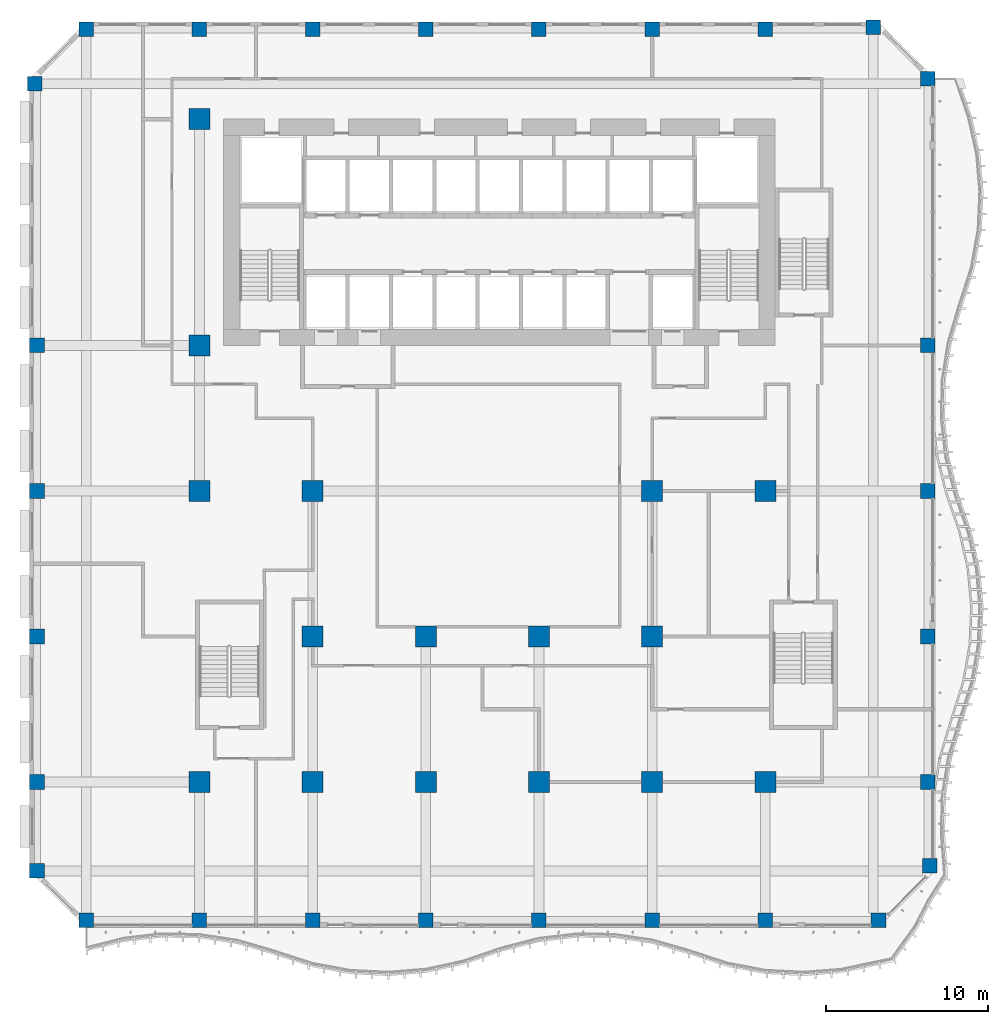
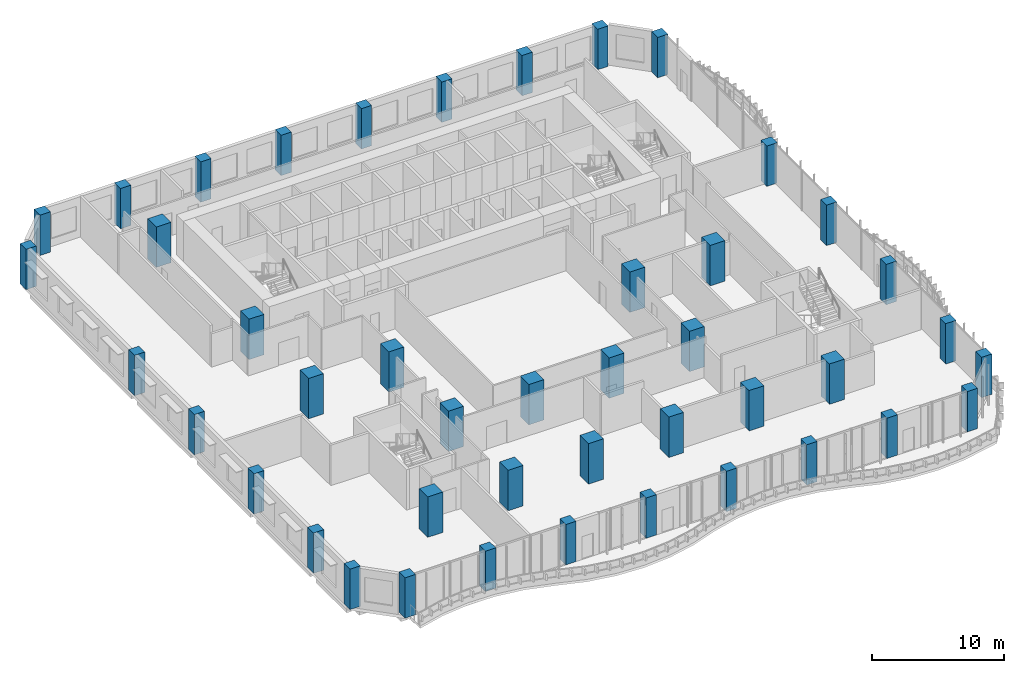
# One storey, part 1 of 24: 44 columns.
"""IFC4 building model written with IfcOpenShell, lengths in metres."""

from ifc_helpers import new_model, si_unit, direction, frame, origin, origin_2d, place, context, subcontext, project, spatial, rectangle, extrude, source, transform, mapped, material, material_profile, profile_set, type_object, element, save


model = new_model("IFC4")

# Units and contexts
model_context = context("Model", 3, precision=1e-05, world=origin(), true_north=direction((0.0, 1.0)))
body_context = subcontext(model_context, "Body", "Model", "MODEL_VIEW")
ifc_project = project(units=[si_unit("LENGTHUNIT", "METRE"), si_unit("AREAUNIT", "SQUARE_METRE"), si_unit("VOLUMEUNIT", "CUBIC_METRE"), si_unit("PLANEANGLEUNIT", "RADIAN"), si_unit("MASSUNIT", "GRAM", prefix="KILO")], contexts=[model_context])

# Site, building, storey
site_placement = place(None, origin())
site = spatial("IfcSite", under=ifc_project, at=site_placement, CompositionType="ELEMENT")
building_placement = place(site_placement, origin())
building = spatial("IfcBuilding", under=site, at=building_placement, Name="Kilnfold Tower and Market Hall", CompositionType="ELEMENT")
storey_placement = place(building_placement, frame((0.0, 0.0, 35.0)))
storey = spatial("IfcBuildingStorey", under=building, at=storey_placement, Name="L07", CompositionType="ELEMENT", Elevation=35.0)

# Columns
ifc_material_1 = material(Name="Concrete C80", Category="concrete")
ifc_material_profile_1 = material_profile(ifc_material_1, rectangle(XDim=0.89990234375, YDim=0.89990234375, at=origin_2d()), Name="RC 900x900")
ifc_profile_set_1 = profile_set([ifc_material_profile_1], Name="Concrete C80")
column_type_1 = type_object("IfcColumnType", Name="COLUMN 900X900 C80", PredefinedType="COLUMN", material=ifc_profile_set_1)
shared_shape_1 = source(origin(), body_context, "Body", "SweptSolid", [
    extrude(rectangle(XDim=0.89990234375, YDim=0.89990234375, at=origin_2d()), origin(), (0.0, 0.0, 1.0), 3.719970703125),
])
for number, where, z_axis, x_axis, name in (
    (1, (-27.681884765625, 24.181884765625, 0.0), (0.0, 0.0, 1.0), (1.0, 0.0, 0.0), "Column C-B1-1H"),
    (2, (-27.550048828125, -24.5, 0.0), (0.0, 0.0, 1.0), (1.0, 0.0, 0.0), "Column C-B1-1B"),
    (3, (-27.550048828125, -19.0, 0.0), (0.0, 0.0, 1.0), (1.0, 0.0, 0.0), "Column C-B1-1C"),
    (4, (-27.550048828125, -10.0, 0.0), (0.0, 0.0, 1.0), (1.0, 0.0, 0.0), "Column C-B1-1D"),
    (5, (-27.550048828125, -1.0, 0.0), (0.0, 0.0, 1.0), (1.0, 0.0, 0.0), "Column C-B1-1E"),
    (6, (-27.550048828125, 8.0, 0.0), (0.0, 0.0, 1.0), (1.0, 0.0, 0.0), "Column C-B1-1F"),
    (7, (-24.5, -27.550048828125, 0.0), (0.0, 0.0, 1.0), (1.0, 0.0, 0.0), "Column C-B1-2A"),
    (8, (-24.5, 27.550048828125, 0.0), (0.0, 0.0, 1.0), (1.0, 0.0, 0.0), "Column C-B1-2I"),
    (9, (-17.5, -27.550048828125, 0.0), (0.0, 0.0, 1.0), (1.0, 0.0, 0.0), "Column C-B1-3A"),
    (10, (-17.5, 27.550048828125, 0.0), (0.0, 0.0, 1.0), (1.0, 0.0, 0.0), "Column C-B1-3I"),
    (11, (-10.5, -27.550048828125, 0.0), (0.0, 0.0, 1.0), (1.0, 0.0, 0.0), "Column C-B1-4A"),
    (12, (-10.5, 27.550048828125, 0.0), (0.0, 0.0, 1.0), (1.0, 0.0, 0.0), "Column C-B1-4I"),
    (13, (-3.5, -27.550048828125, 0.0), (0.0, 0.0, 1.0), (1.0, 0.0, 0.0), "Column C-B1-5A"),
    (14, (-3.5, 27.550048828125, 0.0), (0.0, 0.0, 1.0), (1.0, 0.0, 0.0), "Column C-B1-5I"),
    (15, (3.5, -27.550048828125, 0.0), (0.0, 0.0, 1.0), (1.0, 0.0, 0.0), "Column C-B1-6A"),
    (16, (3.5, 27.550048828125, 0.0), (0.0, 0.0, 1.0), (1.0, 0.0, 0.0), "Column C-B1-6I"),
    (17, (10.5, -27.550048828125, 0.0), (0.0, 0.0, 1.0), (1.0, 0.0, 0.0), "Column C-B1-7A"),
    (18, (10.5, 27.550048828125, 0.0), (0.0, 0.0, 1.0), (1.0, 0.0, 0.0), "Column C-B1-7I"),
    (19, (17.5, -27.550048828125, 0.0), (0.0, 0.0, 1.0), (1.0, 0.0, 0.0), "Column C-B1-8A"),
    (20, (17.5, 27.550048828125, 0.0), (0.0, 0.0, 1.0), (1.0, 0.0, 0.0), "Column C-B1-8I"),
    (21, (24.181884765625, 27.681884765625, 0.0), (0.0, 0.0, 1.0), (1.0, 0.0, 0.0), "Column C-B1-9I"),
    (22, (24.5, -27.550048828125, 0.0), (0.0, 0.0, 1.0), (1.0, 0.0, 0.0), "Column C-B1-9A"),
    (23, (27.550048828125, -19.0, 0.0), (0.0, 0.0, 1.0), (1.0, 0.0, 0.0), "Column C-B1-10C"),
    (24, (27.550048828125, -10.0, 0.0), (0.0, 0.0, 1.0), (1.0, 0.0, 0.0), "Column C-B1-10D"),
    (25, (27.550048828125, -1.0, 0.0), (0.0, 0.0, 1.0), (1.0, 0.0, 0.0), "Column C-B1-10E"),
    (26, (27.550048828125, 8.0, 0.0), (0.0, 0.0, 1.0), (1.0, 0.0, 0.0), "Column C-B1-10F"),
    (27, (27.550048828125, 24.5, 0.0), (0.0, 0.0, 1.0), (1.0, 0.0, 0.0), "Column C-B1-10H"),
    (28, (27.681884765625, -24.181884765625, 0.0), (0.0, 0.0, 1.0), (1.0, 0.0, 0.0), "Column C-B1-10B"),
):
    element("IfcColumn", number, at=place(storey_placement, frame(where, z_axis=z_axis, x_axis=x_axis)), inside=storey, type_object=column_type_1, Name=name, PredefinedType="COLUMN", context=body_context, shape_type="MappedRepresentation", body=[
        mapped(shared_shape_1, transform((0.0, 0.0, 0.0))),
    ])
ifc_material_2 = material(Name="Concrete C80", Category="concrete")
ifc_material_profile_2 = material_profile(ifc_material_2, rectangle(XDim=1.300048828125, YDim=1.300048828125, at=origin_2d()), Name="RC 1300x1300")
ifc_profile_set_2 = profile_set([ifc_material_profile_2], Name="Concrete C80")
column_type_2 = type_object("IfcColumnType", Name="COLUMN 1300X1300 C80", PredefinedType="COLUMN", material=ifc_profile_set_2)
shared_shape_2 = source(origin(), body_context, "Body", "SweptSolid", [
    extrude(rectangle(XDim=1.300048828125, YDim=1.300048828125, at=origin_2d()), origin(), (0.0, 0.0, 1.0), 3.719970703125),
])
for number, where, z_axis, x_axis, name in (
    (29, (-17.5, -19.0, 0.0), (0.0, 0.0, 1.0), (1.0, 0.0, 0.0), "Column C-B1-3C"),
    (30, (-17.5, -1.0, 0.0), (0.0, 0.0, 1.0), (1.0, 0.0, 0.0), "Column C-B1-3E"),
    (31, (-17.5, 8.0, 0.0), (0.0, 0.0, 1.0), (1.0, 0.0, 0.0), "Column C-B1-3F"),
    (32, (-17.5, 22.0, 0.0), (0.0, 0.0, 1.0), (1.0, 0.0, 0.0), "Column C-B1-3G"),
    (33, (-10.5, -19.0, 0.0), (0.0, 0.0, 1.0), (1.0, 0.0, 0.0), "Column C-B1-4C"),
    (34, (-10.5, -10.0, 0.0), (0.0, 0.0, 1.0), (1.0, 0.0, 0.0), "Column C-B1-4D"),
    (35, (-10.5, -1.0, 0.0), (0.0, 0.0, 1.0), (1.0, 0.0, 0.0), "Column C-B1-4E"),
    (36, (-3.5, -19.0, 0.0), (0.0, 0.0, 1.0), (1.0, 0.0, 0.0), "Column C-B1-5C"),
    (37, (-3.5, -10.0, 0.0), (0.0, 0.0, 1.0), (1.0, 0.0, 0.0), "Column C-B1-5D"),
    (38, (3.5, -19.0, 0.0), (0.0, 0.0, 1.0), (1.0, 0.0, 0.0), "Column C-B1-6C"),
    (39, (3.5, -10.0, 0.0), (0.0, 0.0, 1.0), (1.0, 0.0, 0.0), "Column C-B1-6D"),
    (40, (10.5, -19.0, 0.0), (0.0, 0.0, 1.0), (1.0, 0.0, 0.0), "Column C-B1-7C"),
    (41, (10.5, -10.0, 0.0), (0.0, 0.0, 1.0), (1.0, 0.0, 0.0), "Column C-B1-7D"),
    (42, (10.5, -1.0, 0.0), (0.0, 0.0, 1.0), (1.0, 0.0, 0.0), "Column C-B1-7E"),
    (43, (17.5, -19.0, 0.0), (0.0, 0.0, 1.0), (1.0, 0.0, 0.0), "Column C-B1-8C"),
    (44, (17.5, -1.0, 0.0), (0.0, 0.0, 1.0), (1.0, 0.0, 0.0), "Column C-B1-8E"),
):
    element("IfcColumn", number, at=place(storey_placement, frame(where, z_axis=z_axis, x_axis=x_axis)), inside=storey, type_object=column_type_2, Name=name, PredefinedType="COLUMN", context=body_context, shape_type="MappedRepresentation", body=[
        mapped(shared_shape_2, transform((0.0, 0.0, 0.0))),
    ])

save(model, "model.ifc")
